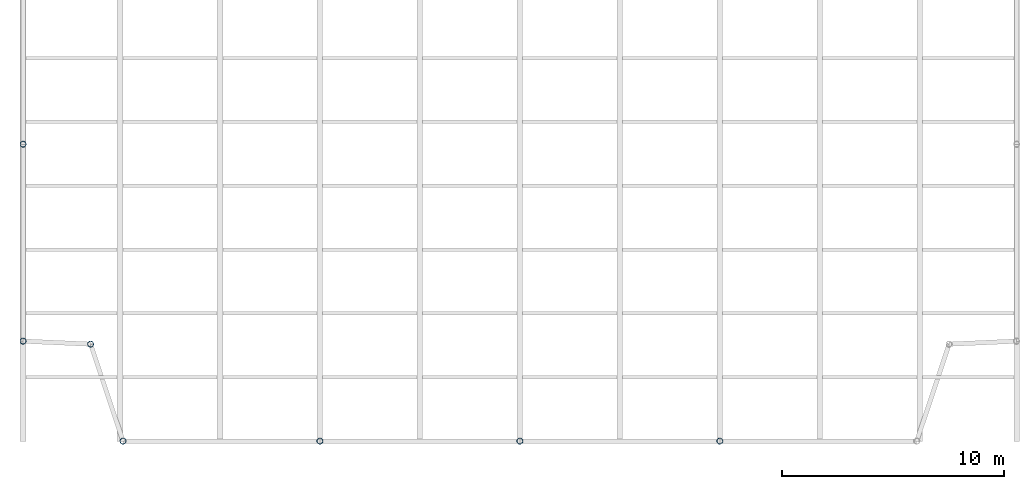
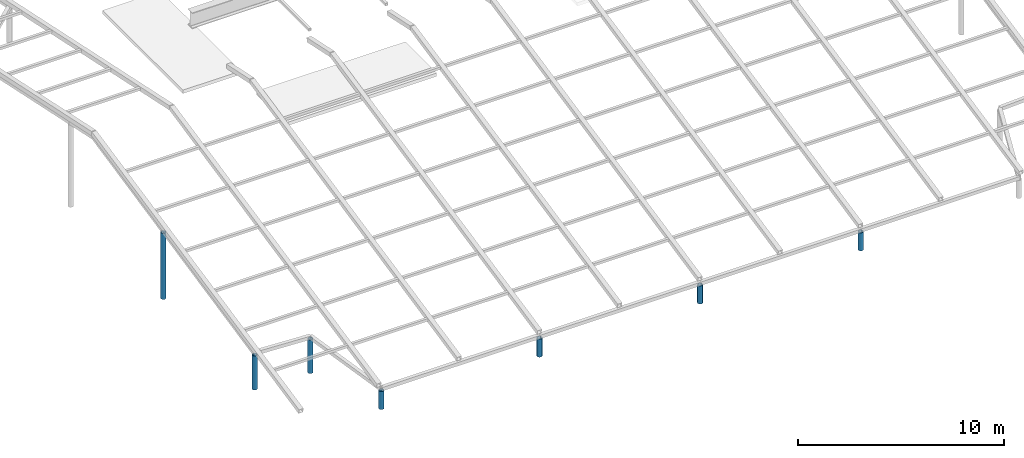
# One storey, part 1 of 7: 7 columns.
"""IFC4 building model written with IfcOpenShell, lengths in metres."""

from ifc_helpers import new_model, si_unit, direction, frame, origin, origin_2d, place, context, subcontext, project, spatial, hollow_circle, extrude, material, material_profile, profile_set, type_object, element, save


model = new_model("IFC4")

# Units and contexts
model_context = context("Model", 3, precision=1e-05, world=origin(), true_north=direction((0.0, 1.0)))
body_context = subcontext(model_context, "Body", "Model", "MODEL_VIEW")
ifc_project = project(units=[si_unit("LENGTHUNIT", "METRE"), si_unit("AREAUNIT", "SQUARE_METRE"), si_unit("VOLUMEUNIT", "CUBIC_METRE"), si_unit("PLANEANGLEUNIT", "RADIAN"), si_unit("MASSUNIT", "GRAM", prefix="KILO")], contexts=[model_context])

# Site, building, storey
site_placement = place(None, origin())
site = spatial("IfcSite", under=ifc_project, at=site_placement, CompositionType="ELEMENT")
building_placement = place(site_placement, origin())
building = spatial("IfcBuilding", under=site, at=building_placement, Name="Orbiselva Terraces", CompositionType="ELEMENT")
storey_placement = place(building_placement, frame((0.0, 0.0, 306.6)))
storey = spatial("IfcBuildingStorey", under=building, at=storey_placement, Name="ROOF STAIR AND LIFT HEAD HOUSES", CompositionType="ELEMENT", Elevation=306.6)

# Columns
ifc_material = material(Name="Steel ASTM A500 Grade C", Category="steel")
ifc_material_profile = material_profile(ifc_material, hollow_circle(Radius=0.13655, WallThickness=0.0127, at=origin_2d()), Name="HSS273.1X12.7")
ifc_profile_set = profile_set([ifc_material_profile], Name="Steel ASTM A500 Grade C")
column_type = type_object("IfcColumnType", Name="CANOPY COLUMN HSS273.1X12.7", PredefinedType="COLUMN", material=ifc_profile_set)
column_1_placement = place(storey_placement, frame((-17.86345, -17.86345, 0.0), z_axis=(0.0, 0.0, 1.0), x_axis=(1.0, 0.0, 0.0)))
element("IfcColumn", 1, at=column_1_placement, inside=storey, type_object=column_type, Name="Canopy column L75-01 above +306.600", PredefinedType="COLUMN", context=body_context, shape_type="SweptSolid", body=[
    extrude(hollow_circle(Radius=0.13655, WallThickness=0.0127, at=origin_2d()), origin(), (0.0, 0.0, 1.0), 1.067554),
])
column_2_placement = place(storey_placement, frame((-22.36345, -13.36345, 0.0), z_axis=(0.0, 0.0, 1.0), x_axis=(1.0, 0.0, 0.0)))
element("IfcColumn", 2, at=column_2_placement, inside=storey, type_object=column_type, Name="Canopy column L75-03 above +306.600", PredefinedType="COLUMN", context=body_context, shape_type="SweptSolid", body=[
    extrude(hollow_circle(Radius=0.13655, WallThickness=0.0127, at=origin_2d()), origin(), (0.0, 0.0, 1.0), 2.024059),
])
column_3_placement = place(storey_placement, frame((-19.32, -13.5, 0.0), z_axis=(0.0, 0.0, 1.0), x_axis=(1.0, 0.0, 0.0)))
element("IfcColumn", 3, at=column_3_placement, inside=storey, type_object=column_type, Name="Canopy column L75-04 above +306.600", PredefinedType="COLUMN", context=body_context, shape_type="SweptSolid", body=[
    extrude(hollow_circle(Radius=0.13655, WallThickness=0.0127, at=origin_2d()), origin(), (0.0, 0.0, 1.0), 1.995034),
])
column_4_placement = place(storey_placement, frame((-22.36345, -4.5, 0.0), z_axis=(0.0, 0.0, 1.0), x_axis=(1.0, 0.0, 0.0)))
element("IfcColumn", 4, at=column_4_placement, inside=storey, type_object=column_type, Name="Canopy column L75-05 above +306.600", PredefinedType="COLUMN", context=body_context, shape_type="SweptSolid", body=[
    extrude(hollow_circle(Radius=0.13655, WallThickness=0.0127, at=origin_2d()), origin(), (0.0, 0.0, 1.0), 3.908043),
])
for number, where, z_axis, x_axis, name in (
    (5, (-9.0, -17.86345, 0.0), (0.0, 0.0, 1.0), (1.0, 0.0, 0.0), "Canopy column L75-09 above +306.600"),
    (6, (0.0, -17.86345, 0.0), (0.0, 0.0, 1.0), (1.0, 0.0, 0.0), "Canopy column L75-10 above +306.600"),
    (7, (9.0, -17.86345, 0.0), (0.0, 0.0, 1.0), (1.0, 0.0, 0.0), "Canopy column L75-19 above +306.600"),
):
    element("IfcColumn", number, at=place(storey_placement, frame(where, z_axis=z_axis, x_axis=x_axis)), inside=storey, type_object=column_type, Name=name, PredefinedType="COLUMN", context=body_context, shape_type="SweptSolid", body=[
        extrude(hollow_circle(Radius=0.13655, WallThickness=0.0127, at=origin_2d()), origin(), (0.0, 0.0, 1.0), 1.067554),
    ])

save(model, "model.ifc")
